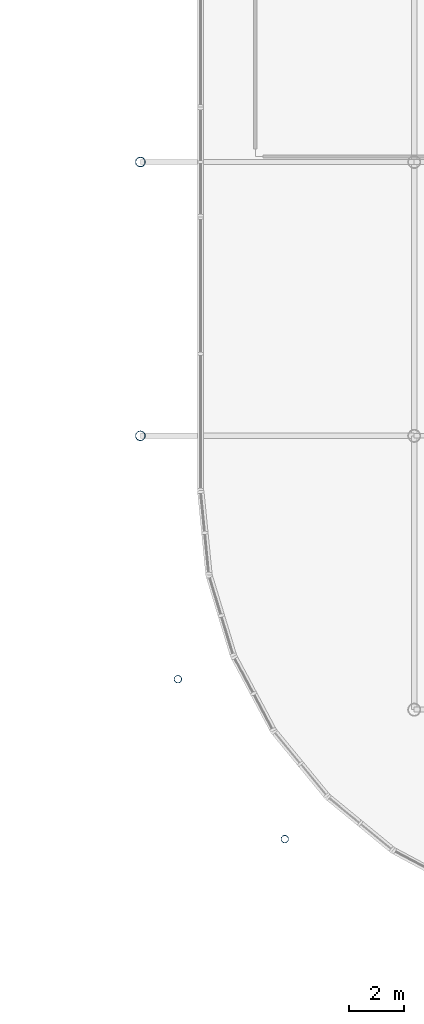
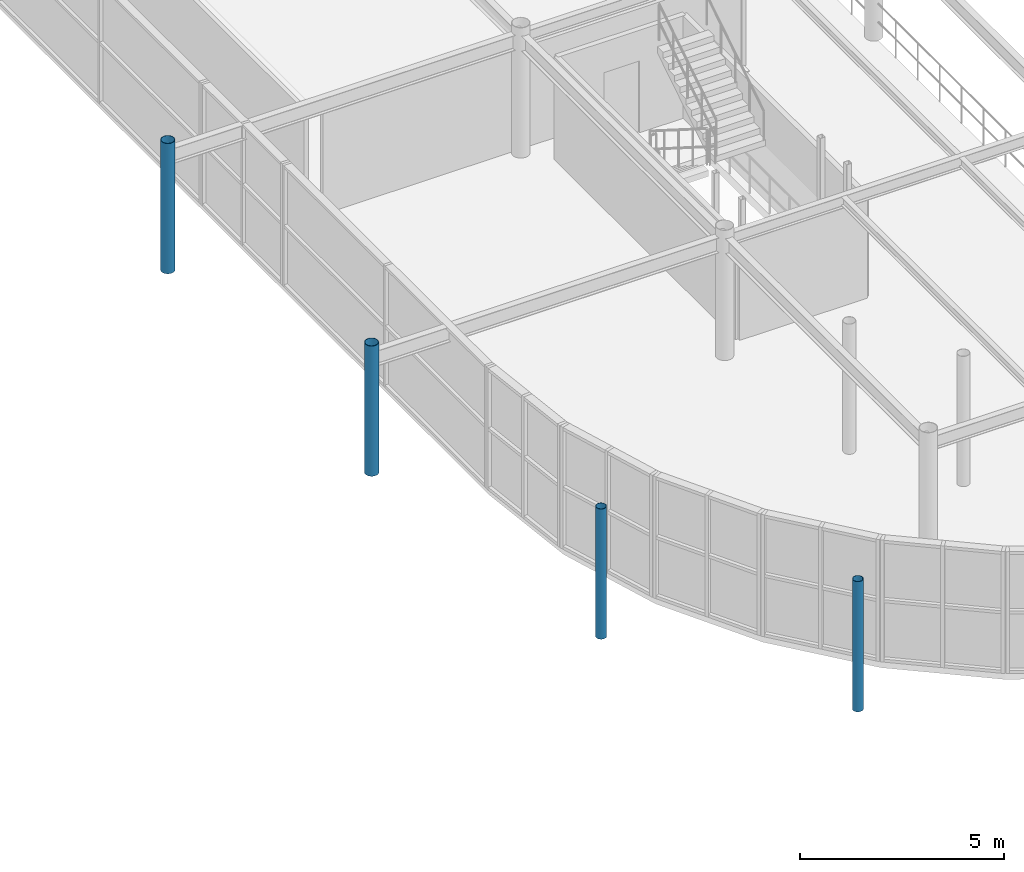
# One storey, part 1 of 98: 4 columns.
"""IFC4 building model written with IfcOpenShell, lengths in metres."""

from ifc_helpers import new_model, si_unit, derived_unit, direction, frame, origin, origin_2d_with_axis, place, context, subcontext, project, spatial, hollow_circle, extrude, material, material_profile, profile_set, type_object, element, save


model = new_model("IFC4")

# Units and contexts
model_context = context("Model", 3, precision=1e-05, world=origin(), true_north=direction((0.0, 1.0)))
body_context = subcontext(model_context, "Body", "Model", "MODEL_VIEW")
ifc_project = project(units=[si_unit("LENGTHUNIT", "METRE"), si_unit("AREAUNIT", "SQUARE_METRE"), si_unit("VOLUMEUNIT", "CUBIC_METRE"), si_unit("PLANEANGLEUNIT", "RADIAN"), si_unit("MASSUNIT", "GRAM", prefix="KILO"), derived_unit("THERMALTRANSMITTANCEUNIT", [(si_unit("POWERUNIT", "WATT"), 1), (si_unit("LENGTHUNIT", "METRE"), -2), (si_unit("THERMODYNAMICTEMPERATUREUNIT", "KELVIN"), -1)])], contexts=[model_context])

# Site, building, storey
site_placement = place(None, origin())
site = spatial("IfcSite", under=ifc_project, at=site_placement, CompositionType="ELEMENT")
building_placement = place(site_placement, origin())
building = spatial("IfcBuilding", under=site, at=building_placement, Name="Cinnabar Yard Market Hall", CompositionType="ELEMENT")
storey_placement = place(building_placement, frame((0.0, 0.0, 4.5)))
storey = spatial("IfcBuildingStorey", under=building, at=storey_placement, Name="L01", CompositionType="ELEMENT", Elevation=4.5)

# Columns
ifc_material = material(Name="Spotted-gum glulam-clad steel Grade 350 (350 MPa)", Category="steel")
ifc_material_profile_1 = material_profile(ifc_material, hollow_circle(Radius=0.177734375, WallThickness=0.0126953125, at=origin_2d_with_axis()), Name="355.6x12.7CHS")
ifc_profile_set_1 = profile_set([ifc_material_profile_1], Name="Spotted-gum glulam-clad steel Grade 350 (350 MPa)")
column_type_1 = type_object("IfcColumnType", Name="COL-C02E", PredefinedType="COLUMN", material=ifc_profile_set_1)
for number, where, z_axis, x_axis, name in (
    (1, (66.0, 34.0, 0.0), (0.0, 0.0, 1.0), (1.0, 0.0, 0.0), "Tree Column V1W-01 L01"),
    (2, (66.0, 44.0, 0.0), (0.0, 0.0, 1.0), (1.0, 0.0, 0.0), "Tree Column V1W-02 L01"),
):
    element("IfcColumn", number, at=place(storey_placement, frame(where, z_axis=z_axis, x_axis=x_axis)), inside=storey, type_object=column_type_1, Name=name, PredefinedType="COLUMN", context=body_context, shape_type="SweptSolid", body=[
        extrude(hollow_circle(Radius=0.177734375, WallThickness=0.0126953125, at=origin_2d_with_axis()), origin(), (0.0, 0.0, 1.0), 3.89990234375),
    ])
ifc_material_profile_2 = material_profile(ifc_material, hollow_circle(Radius=0.136474609375, WallThickness=0.00927734375, at=origin_2d_with_axis()), Name="273.1x9.3CHS")
ifc_profile_set_2 = profile_set([ifc_material_profile_2], Name="Spotted-gum glulam-clad steel Grade 350 (350 MPa)")
column_type_2 = type_object("IfcColumnType", Name="COL-C04E", PredefinedType="COLUMN", material=ifc_profile_set_2)
for number, where, z_axis, x_axis, name in (
    (3, (67.3701171875, 25.11181640625, 0.0), (0.0, 0.0, 1.0), (1.0, 0.0, 0.0), "Tree Column V1C-SW2 L01"),
    (4, (71.272216796875, 19.272216796875, 0.0), (0.0, 0.0, 1.0), (1.0, 0.0, 0.0), "Tree Column V1C-SW4 L01"),
):
    element("IfcColumn", number, at=place(storey_placement, frame(where, z_axis=z_axis, x_axis=x_axis)), inside=storey, type_object=column_type_2, Name=name, PredefinedType="COLUMN", context=body_context, shape_type="SweptSolid", body=[
        extrude(hollow_circle(Radius=0.136474609375, WallThickness=0.00927734375, at=origin_2d_with_axis()), origin(), (0.0, 0.0, 1.0), 3.89990234375),
    ])

save(model, "model.ifc")
